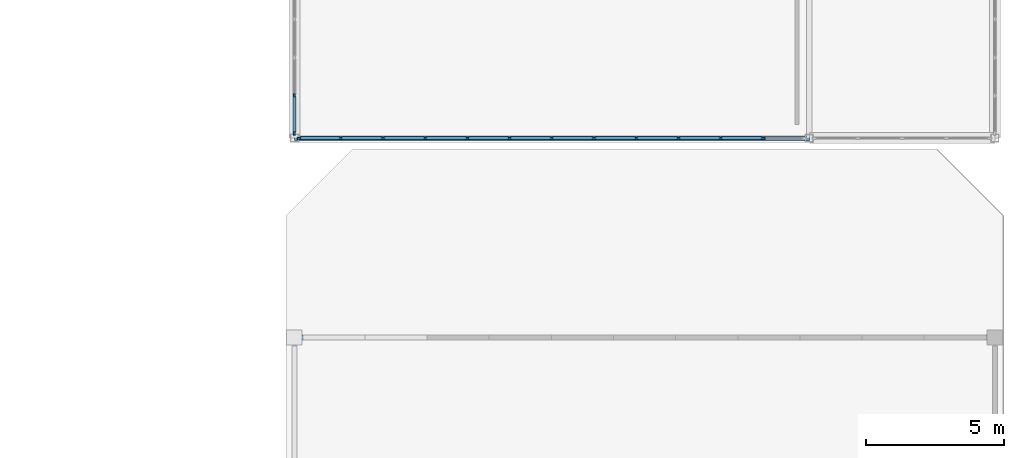
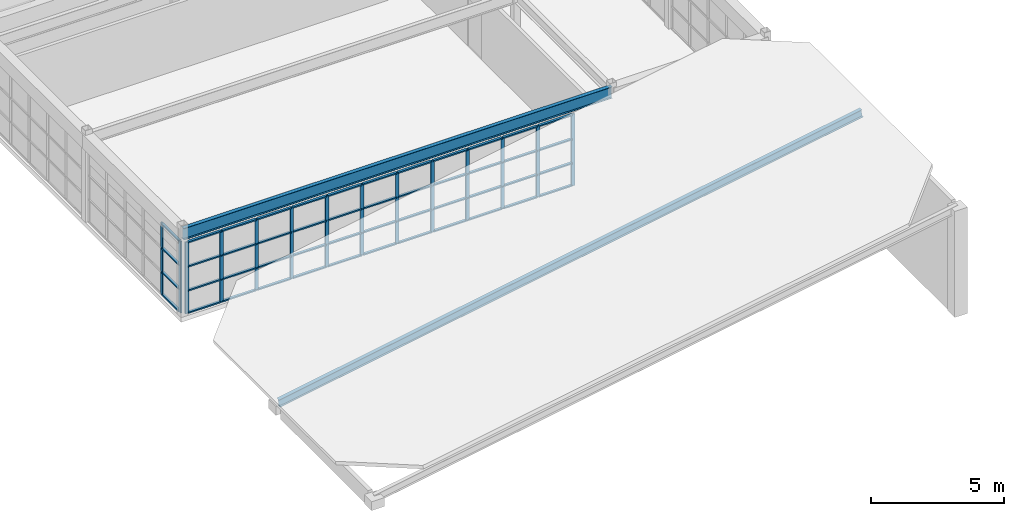
# One storey, part 26 of 52: 63 members, 1 beam, 2 elements without a shape of their own.
"""IFC4 building model written with IfcOpenShell, lengths in metres."""

from ifc_helpers import new_model, si_unit, direction, frame, origin, origin_2d, place, context, subcontext, project, spatial, rectangle, i_section, extrude, material, layer, layer_set, material_profile, profile_set, type_object, element, aggregate, save


model = new_model("IFC4")

# Units and contexts
model_context = context("Model", 3, precision=1e-05, world=origin(), true_north=direction((0.0, 1.0)))
body_context = subcontext(model_context, "Body", "Model", "MODEL_VIEW")
ifc_project = project(units=[si_unit("LENGTHUNIT", "METRE"), si_unit("AREAUNIT", "SQUARE_METRE"), si_unit("VOLUMEUNIT", "CUBIC_METRE"), si_unit("PLANEANGLEUNIT", "RADIAN"), si_unit("MASSUNIT", "GRAM", prefix="KILO")], contexts=[model_context])

# Site, building, storey
site_placement = place(None, origin())
site = spatial("IfcSite", under=ifc_project, at=site_placement, CompositionType="ELEMENT")
building_placement = place(site_placement, origin())
building = spatial("IfcBuilding", under=site, at=building_placement, Name="Candilejo Ridge Gondola Terminal", CompositionType="ELEMENT")
storey_placement = place(building_placement, frame((0.0, 0.0, 18.60009765625)))
storey = spatial("IfcBuildingStorey", under=building, at=storey_placement, Name="L04", CompositionType="ELEMENT", Elevation=18.60009765625)

# Curtain wall, members
ifc_material_1 = material(Name="Anodised aluminium AA 6063-T6", Category="aluminium")
ifc_layer_1 = layer(ifc_material_1, 0.169921875)
ifc_layer_set_1 = layer_set([ifc_layer_1], Name="ARC-CW-TOWER-3000-690X329")
curtain_wall_type_1 = type_object("IfcCurtainWallType", Name="ARC-CW-TOWER-3000-690X329", PredefinedType="NOTDEFINED", material=ifc_layer_set_1)
curtain_wall_1_placement = place(storey_placement, origin())
curtain_wall_1 = element("IfcCurtainWall", 1, at=curtain_wall_1_placement, inside=storey, type_object=curtain_wall_type_1, Name="Curtain wall V5 L04-212", PredefinedType="NOTDEFINED")
ifc_material_2 = material(Name="Anodised aluminium AA 6063-T6", Category="aluminium")
ifc_material_profile_1 = material_profile(ifc_material_2, rectangle(XDim=0.06494140625, YDim=0.14990234375, at=origin_2d()))
ifc_profile_set_1 = profile_set([ifc_material_profile_1], Name="Anodised aluminium AA 6063-T6")
member_type_1 = type_object("IfcMemberType", Name="ARC-CW-MULLION-150", PredefinedType="MULLION", material=ifc_profile_set_1)
member_1_placement = place(storey_placement, frame((150.0, 84.83251953125, 0.0), z_axis=(0.0, 0.0, 1.0), x_axis=(-1.0, 0.0, 0.0)))
member_1 = element("IfcMember", 2, at=member_1_placement, type_object=member_type_1, Name="CW-69X32 mullion 1", PredefinedType="MULLION", context=body_context, shape_type="SweptSolid", body=[
    extrude(rectangle(XDim=0.06494140625, YDim=0.14990234375, at=origin_2d()), origin(), (0.0, 0.0, 1.0), 3.289794921875),
])
member_2_placement = place(storey_placement, frame((150.0, 86.179931640625, 0.0), z_axis=(0.0, 0.0, 1.0), x_axis=(-1.0, 0.0, 0.0)))
member_2 = element("IfcMember", 3, at=member_2_placement, type_object=member_type_1, Name="CW-69X32 mullion 2", PredefinedType="MULLION", context=body_context, shape_type="SweptSolid", body=[
    extrude(rectangle(XDim=0.06494140625, YDim=0.14990234375, at=origin_2d()), origin(), (0.0, 0.0, 1.0), 3.289794921875),
])

ifc_material_3 = material(Name="Anodised aluminium AA 6063-T6", Category="aluminium")
ifc_layer_2 = layer(ifc_material_3, 0.169921875)
ifc_layer_set_2 = layer_set([ifc_layer_2], Name="ARC-CW-TOWER-3000-1830X329")
curtain_wall_type_2 = type_object("IfcCurtainWallType", Name="ARC-CW-TOWER-3000-1830X329", PredefinedType="NOTDEFINED", material=ifc_layer_set_2)
curtain_wall_2_placement = place(storey_placement, origin())
curtain_wall_2 = element("IfcCurtainWall", 4, at=curtain_wall_2_placement, inside=storey, type_object=curtain_wall_type_2, Name="Curtain wall V5 L04-222", PredefinedType="NOTDEFINED")
member_3_placement = place(storey_placement, frame((150.1826171875, 84.64990234375, 0.0), z_axis=(0.0, 0.0, 1.0), x_axis=(0.0, 1.0, 0.0)))
member_3 = element("IfcMember", 5, at=member_3_placement, type_object=member_type_1, Name="CW-183X32 mullion 1", PredefinedType="MULLION", context=body_context, shape_type="SweptSolid", body=[
    extrude(rectangle(XDim=0.06494140625, YDim=0.14990234375, at=origin_2d()), origin(), (0.0, 0.0, 1.0), 3.289794921875),
])
member_4_placement = place(storey_placement, frame((151.675048828125, 84.64990234375, 0.0), z_axis=(0.0, 0.0, 1.0), x_axis=(0.0, 1.0, 0.0)))
member_4 = element("IfcMember", 6, at=member_4_placement, type_object=member_type_1, Name="CW-183X32 mullion 2", PredefinedType="MULLION", context=body_context, shape_type="SweptSolid", body=[
    extrude(rectangle(XDim=0.06494140625, YDim=0.14990234375, at=origin_2d()), origin(), (0.0, 0.0, 1.0), 3.289794921875),
])
member_5_placement = place(storey_placement, frame((153.199951171875, 84.64990234375, 0.0), z_axis=(0.0, 0.0, 1.0), x_axis=(0.0, 1.0, 0.0)))
member_5 = element("IfcMember", 7, at=member_5_placement, type_object=member_type_1, Name="CW-183X32 mullion 3", PredefinedType="MULLION", context=body_context, shape_type="SweptSolid", body=[
    extrude(rectangle(XDim=0.06494140625, YDim=0.14990234375, at=origin_2d()), origin(), (0.0, 0.0, 1.0), 3.289794921875),
])
member_6_placement = place(storey_placement, frame((154.72509765625, 84.64990234375, 0.0), z_axis=(0.0, 0.0, 1.0), x_axis=(0.0, 1.0, 0.0)))
member_6 = element("IfcMember", 8, at=member_6_placement, type_object=member_type_1, Name="CW-183X32 mullion 4", PredefinedType="MULLION", context=body_context, shape_type="SweptSolid", body=[
    extrude(rectangle(XDim=0.06494140625, YDim=0.14990234375, at=origin_2d()), origin(), (0.0, 0.0, 1.0), 3.289794921875),
])
member_7_placement = place(storey_placement, frame((156.25, 84.64990234375, 0.0), z_axis=(0.0, 0.0, 1.0), x_axis=(0.0, 1.0, 0.0)))
member_7 = element("IfcMember", 9, at=member_7_placement, type_object=member_type_1, Name="CW-183X32 mullion 5", PredefinedType="MULLION", context=body_context, shape_type="SweptSolid", body=[
    extrude(rectangle(XDim=0.06494140625, YDim=0.14990234375, at=origin_2d()), origin(), (0.0, 0.0, 1.0), 3.289794921875),
])
member_8_placement = place(storey_placement, frame((157.77490234375, 84.64990234375, 0.0), z_axis=(0.0, 0.0, 1.0), x_axis=(0.0, 1.0, 0.0)))
member_8 = element("IfcMember", 10, at=member_8_placement, type_object=member_type_1, Name="CW-183X32 mullion 6", PredefinedType="MULLION", context=body_context, shape_type="SweptSolid", body=[
    extrude(rectangle(XDim=0.06494140625, YDim=0.14990234375, at=origin_2d()), origin(), (0.0, 0.0, 1.0), 3.289794921875),
])
member_9_placement = place(storey_placement, frame((159.300048828125, 84.64990234375, 0.0), z_axis=(0.0, 0.0, 1.0), x_axis=(0.0, 1.0, 0.0)))
member_9 = element("IfcMember", 11, at=member_9_placement, type_object=member_type_1, Name="CW-183X32 mullion 7", PredefinedType="MULLION", context=body_context, shape_type="SweptSolid", body=[
    extrude(rectangle(XDim=0.06494140625, YDim=0.14990234375, at=origin_2d()), origin(), (0.0, 0.0, 1.0), 3.289794921875),
])
member_10_placement = place(storey_placement, frame((160.824951171875, 84.64990234375, 0.0), z_axis=(0.0, 0.0, 1.0), x_axis=(0.0, 1.0, 0.0)))
member_10 = element("IfcMember", 12, at=member_10_placement, type_object=member_type_1, Name="CW-183X32 mullion 8", PredefinedType="MULLION", context=body_context, shape_type="SweptSolid", body=[
    extrude(rectangle(XDim=0.06494140625, YDim=0.14990234375, at=origin_2d()), origin(), (0.0, 0.0, 1.0), 3.289794921875),
])
member_11_placement = place(storey_placement, frame((162.35009765625, 84.64990234375, 0.0), z_axis=(0.0, 0.0, 1.0), x_axis=(0.0, 1.0, 0.0)))
member_11 = element("IfcMember", 13, at=member_11_placement, type_object=member_type_1, Name="CW-183X32 mullion 9", PredefinedType="MULLION", context=body_context, shape_type="SweptSolid", body=[
    extrude(rectangle(XDim=0.06494140625, YDim=0.14990234375, at=origin_2d()), origin(), (0.0, 0.0, 1.0), 3.289794921875),
])
member_12_placement = place(storey_placement, frame((163.875, 84.64990234375, 0.0), z_axis=(0.0, 0.0, 1.0), x_axis=(0.0, 1.0, 0.0)))
member_12 = element("IfcMember", 14, at=member_12_placement, type_object=member_type_1, Name="CW-183X32 mullion 10", PredefinedType="MULLION", context=body_context, shape_type="SweptSolid", body=[
    extrude(rectangle(XDim=0.06494140625, YDim=0.14990234375, at=origin_2d()), origin(), (0.0, 0.0, 1.0), 3.289794921875),
])
member_13_placement = place(storey_placement, frame((165.39990234375, 84.64990234375, 0.0), z_axis=(0.0, 0.0, 1.0), x_axis=(0.0, 1.0, 0.0)))
member_13 = element("IfcMember", 15, at=member_13_placement, type_object=member_type_1, Name="CW-183X32 mullion 11", PredefinedType="MULLION", context=body_context, shape_type="SweptSolid", body=[
    extrude(rectangle(XDim=0.06494140625, YDim=0.14990234375, at=origin_2d()), origin(), (0.0, 0.0, 1.0), 3.289794921875),
])
member_14_placement = place(storey_placement, frame((166.925048828125, 84.64990234375, 0.0), z_axis=(0.0, 0.0, 1.0), x_axis=(0.0, 1.0, 0.0)))
member_14 = element("IfcMember", 16, at=member_14_placement, type_object=member_type_1, Name="CW-183X32 mullion 12", PredefinedType="MULLION", context=body_context, shape_type="SweptSolid", body=[
    extrude(rectangle(XDim=0.06494140625, YDim=0.14990234375, at=origin_2d()), origin(), (0.0, 0.0, 1.0), 3.289794921875),
])

# Member
ifc_material_4 = material(Name="Anodised aluminium AA 6063-T6", Category="aluminium")
ifc_material_profile_2 = material_profile(ifc_material_4, rectangle(XDim=0.110107421875, YDim=0.06005859375, at=origin_2d()))
ifc_profile_set_2 = profile_set([ifc_material_profile_2], Name="Anodised aluminium AA 6063-T6")
member_type_2 = type_object("IfcMemberType", Name="ARC-CW-TRANSOM-110", PredefinedType="USERDEFINED", material=ifc_profile_set_2)
member_15_placement = place(storey_placement, frame((150.0, 84.864990234375, 0.02978515625), z_axis=(0.0, 1.0, 0.0), x_axis=(-1.0, 0.0, 0.0)))
member_15 = element("IfcMember", 17, at=member_15_placement, type_object=member_type_2, Name="CW-69X32 transom 1.1", ObjectType="TRANSOM", PredefinedType="USERDEFINED", context=body_context, shape_type="SweptSolid", body=[
    extrude(rectangle(XDim=0.110107421875, YDim=0.06005859375, at=origin_2d()), origin(), (0.0, 0.0, 1.0), 1.282470703125),
])

member_16_placement = place(storey_placement, frame((150.0, 84.864990234375, 1.0498046875), z_axis=(0.0, 1.0, 0.0), x_axis=(-1.0, 0.0, 0.0)))
member_16 = element("IfcMember", 18, at=member_16_placement, type_object=member_type_2, Name="CW-69X32 transom 1.2", ObjectType="TRANSOM", PredefinedType="USERDEFINED", context=body_context, shape_type="SweptSolid", body=[
    extrude(rectangle(XDim=0.110107421875, YDim=0.06005859375, at=origin_2d()), origin(), (0.0, 0.0, 1.0), 1.282470703125),
])

member_17_placement = place(storey_placement, frame((150.0, 84.864990234375, 2.14990234375), z_axis=(0.0, 1.0, 0.0), x_axis=(-1.0, 0.0, 0.0)))
member_17 = element("IfcMember", 19, at=member_17_placement, type_object=member_type_2, Name="CW-69X32 transom 1.3", ObjectType="TRANSOM", PredefinedType="USERDEFINED", context=body_context, shape_type="SweptSolid", body=[
    extrude(rectangle(XDim=0.110107421875, YDim=0.06005859375, at=origin_2d()), origin(), (0.0, 0.0, 1.0), 1.282470703125),
])

member_18_placement = place(storey_placement, frame((150.0, 84.864990234375, 3.260009765625), z_axis=(0.0, 1.0, 0.0), x_axis=(-1.0, 0.0, 0.0)))
member_18 = element("IfcMember", 20, at=member_18_placement, type_object=member_type_2, Name="CW-69X32 transom 1.4", ObjectType="TRANSOM", PredefinedType="USERDEFINED", context=body_context, shape_type="SweptSolid", body=[
    extrude(rectangle(XDim=0.110107421875, YDim=0.06005859375, at=origin_2d()), origin(), (0.0, 0.0, 1.0), 1.282470703125),
])

aggregate(curtain_wall_1, [member_1, member_2, member_15, member_16, member_17, member_18])

member_19_placement = place(storey_placement, frame((150.215087890625, 84.64990234375, 0.02978515625), z_axis=(1.0, 0.0, 0.0), x_axis=(0.0, 1.0, 0.0)))
member_19 = element("IfcMember", 21, at=member_19_placement, type_object=member_type_2, Name="CW-183X32 transom 1.1", ObjectType="TRANSOM", PredefinedType="USERDEFINED", context=body_context, shape_type="SweptSolid", body=[
    extrude(rectangle(XDim=0.110107421875, YDim=0.06005859375, at=origin_2d()), origin(), (0.0, 0.0, 1.0), 1.427490234375),
])

member_20_placement = place(storey_placement, frame((150.215087890625, 84.64990234375, 1.0498046875), z_axis=(1.0, 0.0, 0.0), x_axis=(0.0, 1.0, 0.0)))
member_20 = element("IfcMember", 22, at=member_20_placement, type_object=member_type_2, Name="CW-183X32 transom 1.2", ObjectType="TRANSOM", PredefinedType="USERDEFINED", context=body_context, shape_type="SweptSolid", body=[
    extrude(rectangle(XDim=0.110107421875, YDim=0.06005859375, at=origin_2d()), origin(), (0.0, 0.0, 1.0), 1.427490234375),
])

member_21_placement = place(storey_placement, frame((150.215087890625, 84.64990234375, 2.14990234375), z_axis=(1.0, 0.0, 0.0), x_axis=(0.0, 1.0, 0.0)))
member_21 = element("IfcMember", 23, at=member_21_placement, type_object=member_type_2, Name="CW-183X32 transom 1.3", ObjectType="TRANSOM", PredefinedType="USERDEFINED", context=body_context, shape_type="SweptSolid", body=[
    extrude(rectangle(XDim=0.110107421875, YDim=0.06005859375, at=origin_2d()), origin(), (0.0, 0.0, 1.0), 1.427490234375),
])

member_22_placement = place(storey_placement, frame((150.215087890625, 84.64990234375, 3.260009765625), z_axis=(1.0, 0.0, 0.0), x_axis=(0.0, 1.0, 0.0)))
member_22 = element("IfcMember", 24, at=member_22_placement, type_object=member_type_2, Name="CW-183X32 transom 1.4", ObjectType="TRANSOM", PredefinedType="USERDEFINED", context=body_context, shape_type="SweptSolid", body=[
    extrude(rectangle(XDim=0.110107421875, YDim=0.06005859375, at=origin_2d()), origin(), (0.0, 0.0, 1.0), 1.427490234375),
])

member_23_placement = place(storey_placement, frame((151.70751953125, 84.64990234375, 0.02978515625), z_axis=(1.0, 0.0, 0.0), x_axis=(0.0, 1.0, 0.0)))
member_23 = element("IfcMember", 25, at=member_23_placement, type_object=member_type_2, Name="CW-183X32 transom 2.1", ObjectType="TRANSOM", PredefinedType="USERDEFINED", context=body_context, shape_type="SweptSolid", body=[
    extrude(rectangle(XDim=0.110107421875, YDim=0.06005859375, at=origin_2d()), origin(), (0.0, 0.0, 1.0), 1.4599609375),
])

member_24_placement = place(storey_placement, frame((151.70751953125, 84.64990234375, 1.0498046875), z_axis=(1.0, 0.0, 0.0), x_axis=(0.0, 1.0, 0.0)))
member_24 = element("IfcMember", 26, at=member_24_placement, type_object=member_type_2, Name="CW-183X32 transom 2.2", ObjectType="TRANSOM", PredefinedType="USERDEFINED", context=body_context, shape_type="SweptSolid", body=[
    extrude(rectangle(XDim=0.110107421875, YDim=0.06005859375, at=origin_2d()), origin(), (0.0, 0.0, 1.0), 1.4599609375),
])

member_25_placement = place(storey_placement, frame((151.70751953125, 84.64990234375, 2.14990234375), z_axis=(1.0, 0.0, 0.0), x_axis=(0.0, 1.0, 0.0)))
member_25 = element("IfcMember", 27, at=member_25_placement, type_object=member_type_2, Name="CW-183X32 transom 2.3", ObjectType="TRANSOM", PredefinedType="USERDEFINED", context=body_context, shape_type="SweptSolid", body=[
    extrude(rectangle(XDim=0.110107421875, YDim=0.06005859375, at=origin_2d()), origin(), (0.0, 0.0, 1.0), 1.4599609375),
])

member_26_placement = place(storey_placement, frame((151.70751953125, 84.64990234375, 3.260009765625), z_axis=(1.0, 0.0, 0.0), x_axis=(0.0, 1.0, 0.0)))
member_26 = element("IfcMember", 28, at=member_26_placement, type_object=member_type_2, Name="CW-183X32 transom 2.4", ObjectType="TRANSOM", PredefinedType="USERDEFINED", context=body_context, shape_type="SweptSolid", body=[
    extrude(rectangle(XDim=0.110107421875, YDim=0.06005859375, at=origin_2d()), origin(), (0.0, 0.0, 1.0), 1.4599609375),
])

member_27_placement = place(storey_placement, frame((153.232421875, 84.64990234375, 0.02978515625), z_axis=(1.0, 0.0, 0.0), x_axis=(0.0, 1.0, 0.0)))
member_27 = element("IfcMember", 29, at=member_27_placement, type_object=member_type_2, Name="CW-183X32 transom 3.1", ObjectType="TRANSOM", PredefinedType="USERDEFINED", context=body_context, shape_type="SweptSolid", body=[
    extrude(rectangle(XDim=0.110107421875, YDim=0.06005859375, at=origin_2d()), origin(), (0.0, 0.0, 1.0), 1.4599609375),
])

member_28_placement = place(storey_placement, frame((153.232421875, 84.64990234375, 1.0498046875), z_axis=(1.0, 0.0, 0.0), x_axis=(0.0, 1.0, 0.0)))
member_28 = element("IfcMember", 30, at=member_28_placement, type_object=member_type_2, Name="CW-183X32 transom 3.2", ObjectType="TRANSOM", PredefinedType="USERDEFINED", context=body_context, shape_type="SweptSolid", body=[
    extrude(rectangle(XDim=0.110107421875, YDim=0.06005859375, at=origin_2d()), origin(), (0.0, 0.0, 1.0), 1.4599609375),
])

member_29_placement = place(storey_placement, frame((153.232421875, 84.64990234375, 2.14990234375), z_axis=(1.0, 0.0, 0.0), x_axis=(0.0, 1.0, 0.0)))
member_29 = element("IfcMember", 31, at=member_29_placement, type_object=member_type_2, Name="CW-183X32 transom 3.3", ObjectType="TRANSOM", PredefinedType="USERDEFINED", context=body_context, shape_type="SweptSolid", body=[
    extrude(rectangle(XDim=0.110107421875, YDim=0.06005859375, at=origin_2d()), origin(), (0.0, 0.0, 1.0), 1.4599609375),
])

member_30_placement = place(storey_placement, frame((153.232421875, 84.64990234375, 3.260009765625), z_axis=(1.0, 0.0, 0.0), x_axis=(0.0, 1.0, 0.0)))
member_30 = element("IfcMember", 32, at=member_30_placement, type_object=member_type_2, Name="CW-183X32 transom 3.4", ObjectType="TRANSOM", PredefinedType="USERDEFINED", context=body_context, shape_type="SweptSolid", body=[
    extrude(rectangle(XDim=0.110107421875, YDim=0.06005859375, at=origin_2d()), origin(), (0.0, 0.0, 1.0), 1.4599609375),
])

member_31_placement = place(storey_placement, frame((154.757568359375, 84.64990234375, 0.02978515625), z_axis=(1.0, 0.0, 0.0), x_axis=(0.0, 1.0, 0.0)))
member_31 = element("IfcMember", 33, at=member_31_placement, type_object=member_type_2, Name="CW-183X32 transom 4.1", ObjectType="TRANSOM", PredefinedType="USERDEFINED", context=body_context, shape_type="SweptSolid", body=[
    extrude(rectangle(XDim=0.110107421875, YDim=0.06005859375, at=origin_2d()), origin(), (0.0, 0.0, 1.0), 1.4599609375),
])

member_32_placement = place(storey_placement, frame((154.757568359375, 84.64990234375, 1.0498046875), z_axis=(1.0, 0.0, 0.0), x_axis=(0.0, 1.0, 0.0)))
member_32 = element("IfcMember", 34, at=member_32_placement, type_object=member_type_2, Name="CW-183X32 transom 4.2", ObjectType="TRANSOM", PredefinedType="USERDEFINED", context=body_context, shape_type="SweptSolid", body=[
    extrude(rectangle(XDim=0.110107421875, YDim=0.06005859375, at=origin_2d()), origin(), (0.0, 0.0, 1.0), 1.4599609375),
])

member_33_placement = place(storey_placement, frame((154.757568359375, 84.64990234375, 2.14990234375), z_axis=(1.0, 0.0, 0.0), x_axis=(0.0, 1.0, 0.0)))
member_33 = element("IfcMember", 35, at=member_33_placement, type_object=member_type_2, Name="CW-183X32 transom 4.3", ObjectType="TRANSOM", PredefinedType="USERDEFINED", context=body_context, shape_type="SweptSolid", body=[
    extrude(rectangle(XDim=0.110107421875, YDim=0.06005859375, at=origin_2d()), origin(), (0.0, 0.0, 1.0), 1.4599609375),
])

member_34_placement = place(storey_placement, frame((154.757568359375, 84.64990234375, 3.260009765625), z_axis=(1.0, 0.0, 0.0), x_axis=(0.0, 1.0, 0.0)))
member_34 = element("IfcMember", 36, at=member_34_placement, type_object=member_type_2, Name="CW-183X32 transom 4.4", ObjectType="TRANSOM", PredefinedType="USERDEFINED", context=body_context, shape_type="SweptSolid", body=[
    extrude(rectangle(XDim=0.110107421875, YDim=0.06005859375, at=origin_2d()), origin(), (0.0, 0.0, 1.0), 1.4599609375),
])

member_35_placement = place(storey_placement, frame((156.282470703125, 84.64990234375, 0.02978515625), z_axis=(1.0, 0.0, 0.0), x_axis=(0.0, 1.0, 0.0)))
member_35 = element("IfcMember", 37, at=member_35_placement, type_object=member_type_2, Name="CW-183X32 transom 5.1", ObjectType="TRANSOM", PredefinedType="USERDEFINED", context=body_context, shape_type="SweptSolid", body=[
    extrude(rectangle(XDim=0.110107421875, YDim=0.06005859375, at=origin_2d()), origin(), (0.0, 0.0, 1.0), 1.4599609375),
])

member_36_placement = place(storey_placement, frame((156.282470703125, 84.64990234375, 1.0498046875), z_axis=(1.0, 0.0, 0.0), x_axis=(0.0, 1.0, 0.0)))
member_36 = element("IfcMember", 38, at=member_36_placement, type_object=member_type_2, Name="CW-183X32 transom 5.2", ObjectType="TRANSOM", PredefinedType="USERDEFINED", context=body_context, shape_type="SweptSolid", body=[
    extrude(rectangle(XDim=0.110107421875, YDim=0.06005859375, at=origin_2d()), origin(), (0.0, 0.0, 1.0), 1.4599609375),
])

member_37_placement = place(storey_placement, frame((156.282470703125, 84.64990234375, 2.14990234375), z_axis=(1.0, 0.0, 0.0), x_axis=(0.0, 1.0, 0.0)))
member_37 = element("IfcMember", 39, at=member_37_placement, type_object=member_type_2, Name="CW-183X32 transom 5.3", ObjectType="TRANSOM", PredefinedType="USERDEFINED", context=body_context, shape_type="SweptSolid", body=[
    extrude(rectangle(XDim=0.110107421875, YDim=0.06005859375, at=origin_2d()), origin(), (0.0, 0.0, 1.0), 1.4599609375),
])

member_38_placement = place(storey_placement, frame((156.282470703125, 84.64990234375, 3.260009765625), z_axis=(1.0, 0.0, 0.0), x_axis=(0.0, 1.0, 0.0)))
member_38 = element("IfcMember", 40, at=member_38_placement, type_object=member_type_2, Name="CW-183X32 transom 5.4", ObjectType="TRANSOM", PredefinedType="USERDEFINED", context=body_context, shape_type="SweptSolid", body=[
    extrude(rectangle(XDim=0.110107421875, YDim=0.06005859375, at=origin_2d()), origin(), (0.0, 0.0, 1.0), 1.4599609375),
])

member_39_placement = place(storey_placement, frame((157.8076171875, 84.64990234375, 0.02978515625), z_axis=(1.0, 0.0, 0.0), x_axis=(0.0, 1.0, 0.0)))
member_39 = element("IfcMember", 41, at=member_39_placement, type_object=member_type_2, Name="CW-183X32 transom 6.1", ObjectType="TRANSOM", PredefinedType="USERDEFINED", context=body_context, shape_type="SweptSolid", body=[
    extrude(rectangle(XDim=0.110107421875, YDim=0.06005859375, at=origin_2d()), origin(), (0.0, 0.0, 1.0), 1.4599609375),
])

member_40_placement = place(storey_placement, frame((157.8076171875, 84.64990234375, 1.0498046875), z_axis=(1.0, 0.0, 0.0), x_axis=(0.0, 1.0, 0.0)))
member_40 = element("IfcMember", 42, at=member_40_placement, type_object=member_type_2, Name="CW-183X32 transom 6.2", ObjectType="TRANSOM", PredefinedType="USERDEFINED", context=body_context, shape_type="SweptSolid", body=[
    extrude(rectangle(XDim=0.110107421875, YDim=0.06005859375, at=origin_2d()), origin(), (0.0, 0.0, 1.0), 1.4599609375),
])

member_41_placement = place(storey_placement, frame((157.8076171875, 84.64990234375, 2.14990234375), z_axis=(1.0, 0.0, 0.0), x_axis=(0.0, 1.0, 0.0)))
member_41 = element("IfcMember", 43, at=member_41_placement, type_object=member_type_2, Name="CW-183X32 transom 6.3", ObjectType="TRANSOM", PredefinedType="USERDEFINED", context=body_context, shape_type="SweptSolid", body=[
    extrude(rectangle(XDim=0.110107421875, YDim=0.06005859375, at=origin_2d()), origin(), (0.0, 0.0, 1.0), 1.4599609375),
])

member_42_placement = place(storey_placement, frame((157.8076171875, 84.64990234375, 3.260009765625), z_axis=(1.0, 0.0, 0.0), x_axis=(0.0, 1.0, 0.0)))
member_42 = element("IfcMember", 44, at=member_42_placement, type_object=member_type_2, Name="CW-183X32 transom 6.4", ObjectType="TRANSOM", PredefinedType="USERDEFINED", context=body_context, shape_type="SweptSolid", body=[
    extrude(rectangle(XDim=0.110107421875, YDim=0.06005859375, at=origin_2d()), origin(), (0.0, 0.0, 1.0), 1.4599609375),
])

member_43_placement = place(storey_placement, frame((159.33251953125, 84.64990234375, 0.02978515625), z_axis=(1.0, 0.0, 0.0), x_axis=(0.0, 1.0, 0.0)))
member_43 = element("IfcMember", 45, at=member_43_placement, type_object=member_type_2, Name="CW-183X32 transom 7.1", ObjectType="TRANSOM", PredefinedType="USERDEFINED", context=body_context, shape_type="SweptSolid", body=[
    extrude(rectangle(XDim=0.110107421875, YDim=0.06005859375, at=origin_2d()), origin(), (0.0, 0.0, 1.0), 1.4599609375),
])

member_44_placement = place(storey_placement, frame((159.33251953125, 84.64990234375, 1.0498046875), z_axis=(1.0, 0.0, 0.0), x_axis=(0.0, 1.0, 0.0)))
member_44 = element("IfcMember", 46, at=member_44_placement, type_object=member_type_2, Name="CW-183X32 transom 7.2", ObjectType="TRANSOM", PredefinedType="USERDEFINED", context=body_context, shape_type="SweptSolid", body=[
    extrude(rectangle(XDim=0.110107421875, YDim=0.06005859375, at=origin_2d()), origin(), (0.0, 0.0, 1.0), 1.4599609375),
])

member_45_placement = place(storey_placement, frame((159.33251953125, 84.64990234375, 2.14990234375), z_axis=(1.0, 0.0, 0.0), x_axis=(0.0, 1.0, 0.0)))
member_45 = element("IfcMember", 47, at=member_45_placement, type_object=member_type_2, Name="CW-183X32 transom 7.3", ObjectType="TRANSOM", PredefinedType="USERDEFINED", context=body_context, shape_type="SweptSolid", body=[
    extrude(rectangle(XDim=0.110107421875, YDim=0.06005859375, at=origin_2d()), origin(), (0.0, 0.0, 1.0), 1.4599609375),
])

member_46_placement = place(storey_placement, frame((159.33251953125, 84.64990234375, 3.260009765625), z_axis=(1.0, 0.0, 0.0), x_axis=(0.0, 1.0, 0.0)))
member_46 = element("IfcMember", 48, at=member_46_placement, type_object=member_type_2, Name="CW-183X32 transom 7.4", ObjectType="TRANSOM", PredefinedType="USERDEFINED", context=body_context, shape_type="SweptSolid", body=[
    extrude(rectangle(XDim=0.110107421875, YDim=0.06005859375, at=origin_2d()), origin(), (0.0, 0.0, 1.0), 1.4599609375),
])

member_47_placement = place(storey_placement, frame((160.857421875, 84.64990234375, 0.02978515625), z_axis=(1.0, 0.0, 0.0), x_axis=(0.0, 1.0, 0.0)))
member_47 = element("IfcMember", 49, at=member_47_placement, type_object=member_type_2, Name="CW-183X32 transom 8.1", ObjectType="TRANSOM", PredefinedType="USERDEFINED", context=body_context, shape_type="SweptSolid", body=[
    extrude(rectangle(XDim=0.110107421875, YDim=0.06005859375, at=origin_2d()), origin(), (0.0, 0.0, 1.0), 1.4599609375),
])

member_48_placement = place(storey_placement, frame((160.857421875, 84.64990234375, 1.0498046875), z_axis=(1.0, 0.0, 0.0), x_axis=(0.0, 1.0, 0.0)))
member_48 = element("IfcMember", 50, at=member_48_placement, type_object=member_type_2, Name="CW-183X32 transom 8.2", ObjectType="TRANSOM", PredefinedType="USERDEFINED", context=body_context, shape_type="SweptSolid", body=[
    extrude(rectangle(XDim=0.110107421875, YDim=0.06005859375, at=origin_2d()), origin(), (0.0, 0.0, 1.0), 1.4599609375),
])

member_49_placement = place(storey_placement, frame((160.857421875, 84.64990234375, 2.14990234375), z_axis=(1.0, 0.0, 0.0), x_axis=(0.0, 1.0, 0.0)))
member_49 = element("IfcMember", 51, at=member_49_placement, type_object=member_type_2, Name="CW-183X32 transom 8.3", ObjectType="TRANSOM", PredefinedType="USERDEFINED", context=body_context, shape_type="SweptSolid", body=[
    extrude(rectangle(XDim=0.110107421875, YDim=0.06005859375, at=origin_2d()), origin(), (0.0, 0.0, 1.0), 1.4599609375),
])

member_50_placement = place(storey_placement, frame((160.857421875, 84.64990234375, 3.260009765625), z_axis=(1.0, 0.0, 0.0), x_axis=(0.0, 1.0, 0.0)))
member_50 = element("IfcMember", 52, at=member_50_placement, type_object=member_type_2, Name="CW-183X32 transom 8.4", ObjectType="TRANSOM", PredefinedType="USERDEFINED", context=body_context, shape_type="SweptSolid", body=[
    extrude(rectangle(XDim=0.110107421875, YDim=0.06005859375, at=origin_2d()), origin(), (0.0, 0.0, 1.0), 1.4599609375),
])

member_51_placement = place(storey_placement, frame((162.382568359375, 84.64990234375, 0.02978515625), z_axis=(1.0, 0.0, 0.0), x_axis=(0.0, 1.0, 0.0)))
member_51 = element("IfcMember", 53, at=member_51_placement, type_object=member_type_2, Name="CW-183X32 transom 9.1", ObjectType="TRANSOM", PredefinedType="USERDEFINED", context=body_context, shape_type="SweptSolid", body=[
    extrude(rectangle(XDim=0.110107421875, YDim=0.06005859375, at=origin_2d()), origin(), (0.0, 0.0, 1.0), 1.4599609375),
])

member_52_placement = place(storey_placement, frame((162.382568359375, 84.64990234375, 1.0498046875), z_axis=(1.0, 0.0, 0.0), x_axis=(0.0, 1.0, 0.0)))
member_52 = element("IfcMember", 54, at=member_52_placement, type_object=member_type_2, Name="CW-183X32 transom 9.2", ObjectType="TRANSOM", PredefinedType="USERDEFINED", context=body_context, shape_type="SweptSolid", body=[
    extrude(rectangle(XDim=0.110107421875, YDim=0.06005859375, at=origin_2d()), origin(), (0.0, 0.0, 1.0), 1.4599609375),
])

member_53_placement = place(storey_placement, frame((162.382568359375, 84.64990234375, 2.14990234375), z_axis=(1.0, 0.0, 0.0), x_axis=(0.0, 1.0, 0.0)))
member_53 = element("IfcMember", 55, at=member_53_placement, type_object=member_type_2, Name="CW-183X32 transom 9.3", ObjectType="TRANSOM", PredefinedType="USERDEFINED", context=body_context, shape_type="SweptSolid", body=[
    extrude(rectangle(XDim=0.110107421875, YDim=0.06005859375, at=origin_2d()), origin(), (0.0, 0.0, 1.0), 1.4599609375),
])

member_54_placement = place(storey_placement, frame((162.382568359375, 84.64990234375, 3.260009765625), z_axis=(1.0, 0.0, 0.0), x_axis=(0.0, 1.0, 0.0)))
member_54 = element("IfcMember", 56, at=member_54_placement, type_object=member_type_2, Name="CW-183X32 transom 9.4", ObjectType="TRANSOM", PredefinedType="USERDEFINED", context=body_context, shape_type="SweptSolid", body=[
    extrude(rectangle(XDim=0.110107421875, YDim=0.06005859375, at=origin_2d()), origin(), (0.0, 0.0, 1.0), 1.4599609375),
])

member_55_placement = place(storey_placement, frame((163.907470703125, 84.64990234375, 0.02978515625), z_axis=(1.0, 0.0, 0.0), x_axis=(0.0, 1.0, 0.0)))
member_55 = element("IfcMember", 57, at=member_55_placement, type_object=member_type_2, Name="CW-183X32 transom 10.1", ObjectType="TRANSOM", PredefinedType="USERDEFINED", context=body_context, shape_type="SweptSolid", body=[
    extrude(rectangle(XDim=0.110107421875, YDim=0.06005859375, at=origin_2d()), origin(), (0.0, 0.0, 1.0), 1.4599609375),
])

member_56_placement = place(storey_placement, frame((163.907470703125, 84.64990234375, 1.0498046875), z_axis=(1.0, 0.0, 0.0), x_axis=(0.0, 1.0, 0.0)))
member_56 = element("IfcMember", 58, at=member_56_placement, type_object=member_type_2, Name="CW-183X32 transom 10.2", ObjectType="TRANSOM", PredefinedType="USERDEFINED", context=body_context, shape_type="SweptSolid", body=[
    extrude(rectangle(XDim=0.110107421875, YDim=0.06005859375, at=origin_2d()), origin(), (0.0, 0.0, 1.0), 1.4599609375),
])

member_57_placement = place(storey_placement, frame((163.907470703125, 84.64990234375, 2.14990234375), z_axis=(1.0, 0.0, 0.0), x_axis=(0.0, 1.0, 0.0)))
member_57 = element("IfcMember", 59, at=member_57_placement, type_object=member_type_2, Name="CW-183X32 transom 10.3", ObjectType="TRANSOM", PredefinedType="USERDEFINED", context=body_context, shape_type="SweptSolid", body=[
    extrude(rectangle(XDim=0.110107421875, YDim=0.06005859375, at=origin_2d()), origin(), (0.0, 0.0, 1.0), 1.4599609375),
])

member_58_placement = place(storey_placement, frame((163.907470703125, 84.64990234375, 3.260009765625), z_axis=(1.0, 0.0, 0.0), x_axis=(0.0, 1.0, 0.0)))
member_58 = element("IfcMember", 60, at=member_58_placement, type_object=member_type_2, Name="CW-183X32 transom 10.4", ObjectType="TRANSOM", PredefinedType="USERDEFINED", context=body_context, shape_type="SweptSolid", body=[
    extrude(rectangle(XDim=0.110107421875, YDim=0.06005859375, at=origin_2d()), origin(), (0.0, 0.0, 1.0), 1.4599609375),
])

member_59_placement = place(storey_placement, frame((165.4326171875, 84.64990234375, 0.02978515625), z_axis=(1.0, 0.0, 0.0), x_axis=(0.0, 1.0, 0.0)))
member_59 = element("IfcMember", 61, at=member_59_placement, type_object=member_type_2, Name="CW-183X32 transom 11.1", ObjectType="TRANSOM", PredefinedType="USERDEFINED", context=body_context, shape_type="SweptSolid", body=[
    extrude(rectangle(XDim=0.110107421875, YDim=0.06005859375, at=origin_2d()), origin(), (0.0, 0.0, 1.0), 1.4599609375),
])

member_60_placement = place(storey_placement, frame((165.4326171875, 84.64990234375, 1.0498046875), z_axis=(1.0, 0.0, 0.0), x_axis=(0.0, 1.0, 0.0)))
member_60 = element("IfcMember", 62, at=member_60_placement, type_object=member_type_2, Name="CW-183X32 transom 11.2", ObjectType="TRANSOM", PredefinedType="USERDEFINED", context=body_context, shape_type="SweptSolid", body=[
    extrude(rectangle(XDim=0.110107421875, YDim=0.06005859375, at=origin_2d()), origin(), (0.0, 0.0, 1.0), 1.4599609375),
])

member_61_placement = place(storey_placement, frame((165.4326171875, 84.64990234375, 2.14990234375), z_axis=(1.0, 0.0, 0.0), x_axis=(0.0, 1.0, 0.0)))
member_61 = element("IfcMember", 63, at=member_61_placement, type_object=member_type_2, Name="CW-183X32 transom 11.3", ObjectType="TRANSOM", PredefinedType="USERDEFINED", context=body_context, shape_type="SweptSolid", body=[
    extrude(rectangle(XDim=0.110107421875, YDim=0.06005859375, at=origin_2d()), origin(), (0.0, 0.0, 1.0), 1.4599609375),
])

member_62_placement = place(storey_placement, frame((165.4326171875, 84.64990234375, 3.260009765625), z_axis=(1.0, 0.0, 0.0), x_axis=(0.0, 1.0, 0.0)))
member_62 = element("IfcMember", 64, at=member_62_placement, type_object=member_type_2, Name="CW-183X32 transom 11.4", ObjectType="TRANSOM", PredefinedType="USERDEFINED", context=body_context, shape_type="SweptSolid", body=[
    extrude(rectangle(XDim=0.110107421875, YDim=0.06005859375, at=origin_2d()), origin(), (0.0, 0.0, 1.0), 1.4599609375),
])

aggregate(curtain_wall_2, [member_3, member_4, member_5, member_6, member_7, member_8, member_9, member_10, member_11, member_12, member_13, member_14, member_19, member_20, member_21, member_22, member_23, member_24, member_25, member_26, member_27, member_28, member_29, member_30, member_31, member_32, member_33, member_34, member_35, member_36, member_37, member_38, member_39, member_40, member_41, member_42, member_43, member_44, member_45, member_46, member_47, member_48, member_49, member_50, member_51, member_52, member_53, member_54, member_55, member_56, member_57, member_58, member_59, member_60, member_61, member_62])

# Beam
ifc_material_5 = material(Name="Steel ASTM A992 Grade 50", Category="steel")
ifc_material_profile_3 = material_profile(ifc_material_5, i_section(OverallWidth=0.166015625, OverallDepth=0.529052734375, WebThickness=0.009765625, FlangeThickness=0.013671875, at=origin_2d()))
ifc_profile_set_3 = profile_set([ifc_material_profile_3], Name="Steel ASTM A992 Grade 50")
beam_type = type_object("IfcBeamType", Name="STR-BM-W530X74", PredefinedType="BEAM", material=ifc_profile_set_3)
beam_placement = place(storey_placement, frame((150.0, 84.64990234375, 3.725341796875), z_axis=(1.0, 0.0, 0.0), x_axis=(0.0, 1.0, 0.0)))
element("IfcBeam", 65, at=beam_placement, inside=storey, type_object=beam_type, Name="Beam X V5 L04 X23-X25@Y15", PredefinedType="BEAM", context=body_context, shape_type="SweptSolid", body=[
    extrude(i_section(OverallWidth=0.166015625, OverallDepth=0.529052734375, WebThickness=0.009765625, FlangeThickness=0.013671875, at=origin_2d()), origin(), (0.0, 0.0, 1.0), 18.60009765625),
])

# Member
ifc_material_6 = material(Name="Steel ASTM A992 Grade 50", Category="steel")
ifc_material_profile_4 = material_profile(ifc_material_6, i_section(OverallWidth=0.1708984375, OverallDepth=0.35498046875, WebThickness=0.007080078125, FlangeThickness=0.01171875, at=origin_2d()))
ifc_profile_set_4 = profile_set([ifc_material_profile_4], Name="Steel ASTM A992 Grade 50")
member_type_3 = type_object("IfcMemberType", Name="STR-RAF-W360", PredefinedType="RAFTER", material=ifc_profile_set_4)
member_63_placement = place(storey_placement, frame((150.0, 77.449951171875, 0.327392578125), z_axis=(0.984807084557, 0.0, 0.17365196862), x_axis=(0.0, 1.0, 0.0)))
element("IfcMember", 66, at=member_63_placement, inside=storey, type_object=member_type_3, Name="Shed roof rafter RF-V5-MID1-02", PredefinedType="RAFTER", context=body_context, shape_type="SweptSolid", body=[
    extrude(i_section(OverallWidth=0.1708984375, OverallDepth=0.35498046875, WebThickness=0.007080078125, FlangeThickness=0.01171875, at=origin_2d()), origin(), (0.0, 0.0, 1.0), 25.6904296875),
])

save(model, "model.ifc")
